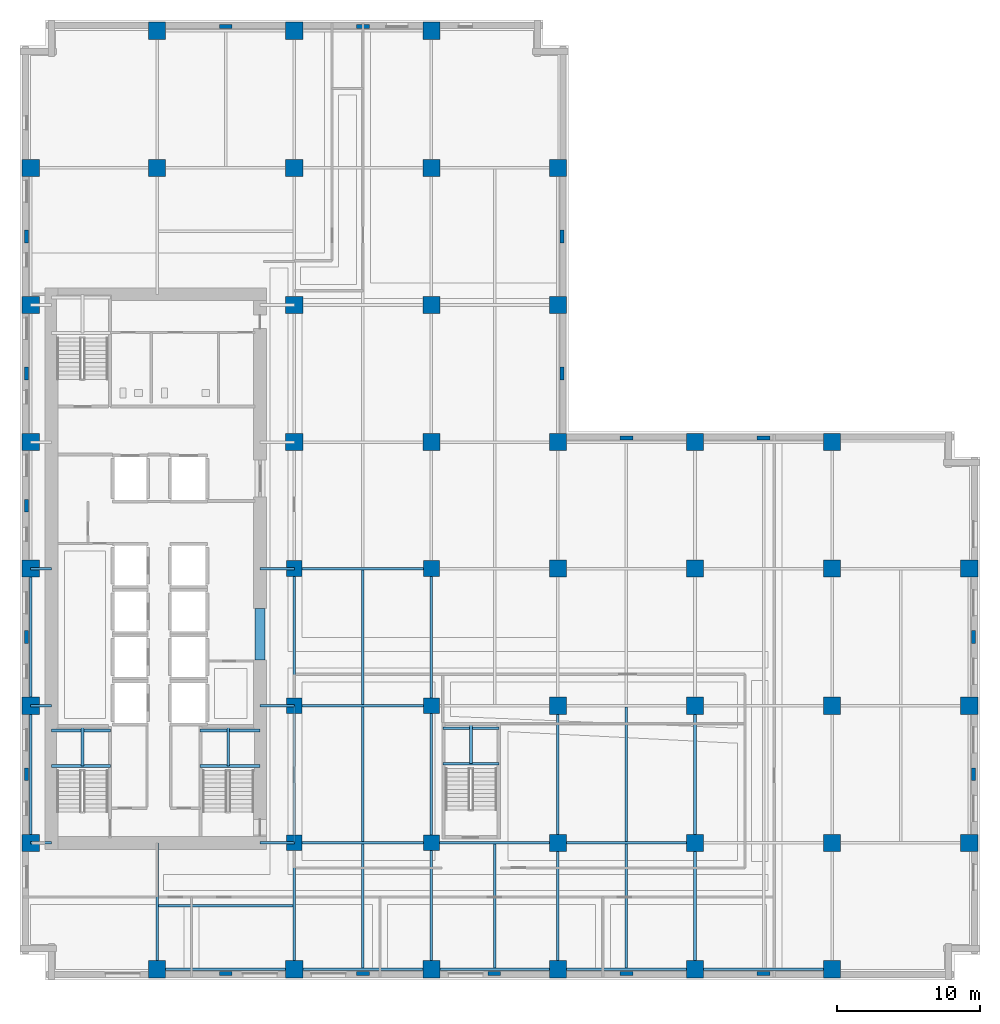
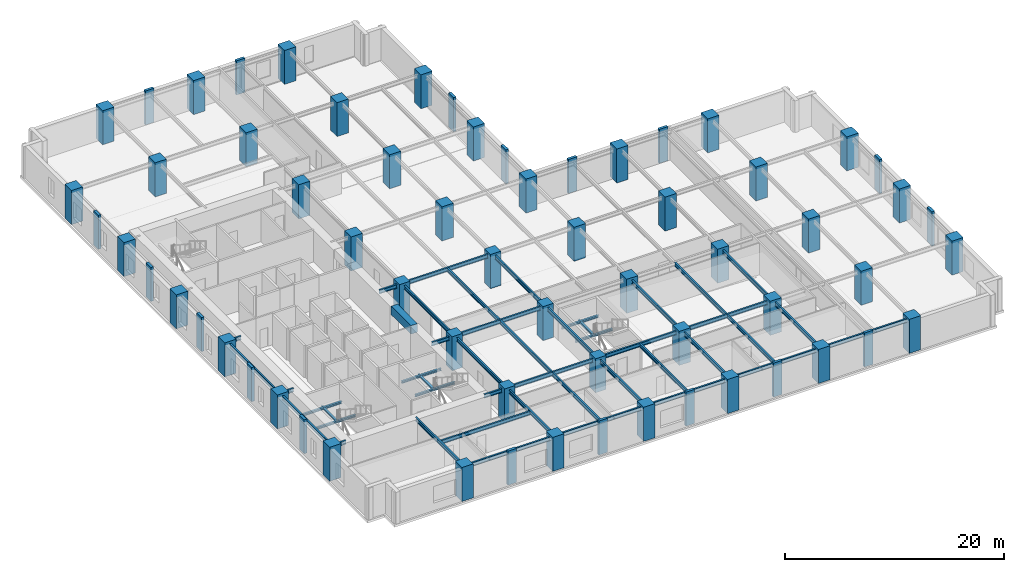
# One storey, part 1 of 13: 63 columns, 46 beams.
"""IFC4 building model written with IfcOpenShell, lengths in metres."""

from ifc_helpers import new_model, si_unit, direction, frame, origin, origin_2d, place, context, subcontext, project, spatial, rectangle, i_section, extrude, material, material_profile, profile_set, type_object, element, save


model = new_model("IFC4")

# Units and contexts
model_context = context("Model", 3, precision=1e-05, world=origin(), true_north=direction((0.0, 1.0)))
body_context = subcontext(model_context, "Body", "Model", "MODEL_VIEW")
ifc_project = project(units=[si_unit("LENGTHUNIT", "METRE"), si_unit("AREAUNIT", "SQUARE_METRE"), si_unit("VOLUMEUNIT", "CUBIC_METRE"), si_unit("PLANEANGLEUNIT", "RADIAN"), si_unit("MASSUNIT", "GRAM", prefix="KILO")], contexts=[model_context])

# Site, building, storey
site_placement = place(None, origin())
site = spatial("IfcSite", under=ifc_project, at=site_placement, CompositionType="ELEMENT")
building_placement = place(site_placement, origin())
building = spatial("IfcBuilding", under=site, at=building_placement, Name="Norrvale University Quadrangle", CompositionType="ELEMENT")
storey_placement = place(building_placement, frame((0.0, 0.0, 35.60009765625)))
storey = spatial("IfcBuildingStorey", under=building, at=storey_placement, Name="L08", CompositionType="ELEMENT", Elevation=35.60009765625)

# Columns
ifc_material_1 = material(Name="Buff Brick Concrete C60/75", Category="concrete")
ifc_material_profile_1 = material_profile(ifc_material_1, rectangle(XDim=0.89990234375, YDim=0.280029296875, at=origin_2d()), Name="Buff Brick Concrete C60/75")
ifc_profile_set_1 = profile_set([ifc_material_profile_1], Name="Buff Brick Concrete C60/75")
column_type_1 = type_object("IfcColumnType", Name="Column Buff Pier 900x280", PredefinedType="PILASTER", material=ifc_profile_set_1)
for number, where, z_axis, x_axis, name in (
    (1, (0.449951171875, 14.39990234375, 0.0), (0.0, 0.0, 1.0), (0.0, 1.0, 0.0), "Exterior Brick Facade Pilaster L08-01"),
    (2, (0.449951171875, 24.0, 0.0), (0.0, 0.0, 1.0), (0.0, 1.0, 0.0), "Exterior Brick Facade Pilaster L08-02"),
    (3, (0.449951171875, 33.199951171875, 0.0), (0.0, 0.0, 1.0), (0.0, 1.0, 0.0), "Exterior Brick Facade Pilaster L08-03"),
    (4, (0.449951171875, 42.449951171875, 0.0), (0.0, 0.0, 1.0), (0.0, 1.0, 0.0), "Exterior Brick Facade Pilaster L08-04"),
    (5, (0.449951171875, 52.050048828125, 0.0), (0.0, 0.0, 1.0), (0.0, 1.0, 0.0), "Exterior Brick Facade Pilaster L08-05"),
    (6, (14.39990234375, 0.449951171875, 0.0), (0.0, 0.0, 1.0), (1.0, 0.0, 0.0), "Exterior Brick Facade Pilaster L08-06"),
    (7, (24.0, 0.449951171875, 0.0), (0.0, 0.0, 1.0), (1.0, 0.0, 0.0), "Exterior Brick Facade Pilaster L08-07"),
    (8, (33.199951171875, 0.449951171875, 0.0), (0.0, 0.0, 1.0), (1.0, 0.0, 0.0), "Exterior Brick Facade Pilaster L08-08"),
    (9, (42.449951171875, 0.449951171875, 0.0), (0.0, 0.0, 1.0), (1.0, 0.0, 0.0), "Exterior Brick Facade Pilaster L08-09"),
    (10, (52.050048828125, 0.449951171875, 0.0), (0.0, 0.0, 1.0), (1.0, 0.0, 0.0), "Exterior Brick Facade Pilaster L08-10"),
    (11, (66.75, 14.39990234375, 0.0), (0.0, 0.0, 1.0), (0.0, 1.0, 0.0), "Exterior Brick Facade Pilaster L08-11"),
    (12, (66.75, 24.0, 0.0), (0.0, 0.0, 1.0), (0.0, 1.0, 0.0), "Exterior Brick Facade Pilaster L08-12"),
    (13, (14.39990234375, 66.75, 0.0), (0.0, 0.0, 1.0), (1.0, 0.0, 0.0), "Exterior Brick Facade Pilaster L08-13"),
    (14, (24.0, 66.75, 0.0), (0.0, 0.0, 1.0), (1.0, 0.0, 0.0), "Exterior Brick Facade Pilaster L08-14"),
    (15, (37.949951171875, 42.449951171875, 0.0), (0.0, 0.0, 1.0), (0.0, 1.0, 0.0), "Exterior Brick Facade Pilaster L08-15"),
    (16, (37.949951171875, 52.050048828125, 0.0), (0.0, 0.0, 1.0), (0.0, 1.0, 0.0), "Exterior Brick Facade Pilaster L08-16"),
    (17, (42.449951171875, 37.949951171875, 0.0), (0.0, 0.0, 1.0), (1.0, 0.0, 0.0), "Exterior Brick Facade Pilaster L08-17"),
    (18, (52.050048828125, 37.949951171875, 0.0), (0.0, 0.0, 1.0), (1.0, 0.0, 0.0), "Exterior Brick Facade Pilaster L08-18"),
):
    element("IfcColumn", number, at=place(storey_placement, frame(where, z_axis=z_axis, x_axis=x_axis)), inside=storey, type_object=column_type_1, Name=name, PredefinedType="PILASTER", context=body_context, shape_type="SweptSolid", body=[
        extrude(rectangle(XDim=0.89990234375, YDim=0.280029296875, at=origin_2d()), origin(), (0.0, 0.0, 1.0), 3.7998046875),
    ])
ifc_material_2 = material(Name="Concrete C80/95", Category="concrete")
ifc_material_profile_2 = material_profile(ifc_material_2, rectangle(XDim=1.10009765625, YDim=1.10009765625, at=origin_2d()), Name="Concrete C80/95")
ifc_profile_set_2 = profile_set([ifc_material_profile_2], Name="Concrete C80/95")
column_type_2 = type_object("IfcColumnType", Name="Column Tower Z1 1100x1100", PredefinedType="COLUMN", material=ifc_profile_set_2)
for number, where, z_axis, x_axis, name in (
    (19, (19.199951171875, 9.60009765625, 0.0), (0.0, 0.0, 1.0), (1.0, 0.0, 0.0), "Tower Column L08-T11"),
    (20, (19.199951171875, 19.199951171875, 0.0), (0.0, 0.0, 1.0), (1.0, 0.0, 0.0), "Tower Column L08-T12"),
    (21, (19.199951171875, 28.800048828125, 0.0), (0.0, 0.0, 1.0), (1.0, 0.0, 0.0), "Tower Column L08-T13"),
    (22, (28.800048828125, 9.60009765625, 0.0), (0.0, 0.0, 1.0), (1.0, 0.0, 0.0), "Tower Column L08-T19"),
    (23, (28.800048828125, 19.199951171875, 0.0), (0.0, 0.0, 1.0), (1.0, 0.0, 0.0), "Tower Column L08-T20"),
    (24, (28.800048828125, 28.800048828125, 0.0), (0.0, 0.0, 1.0), (1.0, 0.0, 0.0), "Tower Column L08-T21"),
):
    element("IfcColumn", number, at=place(storey_placement, frame(where, z_axis=z_axis, x_axis=x_axis)), inside=storey, type_object=column_type_2, Name=name, PredefinedType="COLUMN", context=body_context, shape_type="SweptSolid", body=[
        extrude(rectangle(XDim=1.10009765625, YDim=1.10009765625, at=origin_2d()), origin(), (0.0, 0.0, 1.0), 3.7998046875),
    ])
ifc_material_profile_3 = material_profile(ifc_material_2, rectangle(XDim=1.199951171875, YDim=1.199951171875, at=origin_2d()), Name="Concrete C80/95")
ifc_profile_set_3 = profile_set([ifc_material_profile_3], Name="Concrete C80/95")
column_type_3 = type_object("IfcColumnType", Name="Column Tower Z1 1200x1200", PredefinedType="COLUMN", material=ifc_profile_set_3)
for number, where, z_axis, x_axis, name in (
    (25, (0.75, 9.60009765625, 0.0), (0.0, 0.0, 1.0), (1.0, 0.0, 0.0), "Tower Column L08-T01"),
    (26, (0.75, 19.199951171875, 0.0), (0.0, 0.0, 1.0), (1.0, 0.0, 0.0), "Tower Column L08-T02"),
    (27, (0.75, 28.800048828125, 0.0), (0.0, 0.0, 1.0), (1.0, 0.0, 0.0), "Tower Column L08-T03"),
    (28, (0.75, 37.64990234375, 0.0), (0.0, 0.0, 1.0), (1.0, 0.0, 0.0), "Tower Column L08-T04"),
    (29, (0.75, 47.25, 0.0), (0.0, 0.0, 1.0), (1.0, 0.0, 0.0), "Tower Column L08-T05"),
    (30, (0.75, 56.85009765625, 0.0), (0.0, 0.0, 1.0), (1.0, 0.0, 0.0), "Tower Column L08-T06"),
    (31, (9.60009765625, 0.75, 0.0), (0.0, 0.0, 1.0), (1.0, 0.0, 0.0), "Tower Column L08-T07"),
    (32, (9.60009765625, 56.85009765625, 0.0), (0.0, 0.0, 1.0), (1.0, 0.0, 0.0), "Tower Column L08-T08"),
    (33, (9.60009765625, 66.449951171875, 0.0), (0.0, 0.0, 1.0), (1.0, 0.0, 0.0), "Tower Column L08-T09"),
    (34, (19.199951171875, 0.75, 0.0), (0.0, 0.0, 1.0), (1.0, 0.0, 0.0), "Tower Column L08-T10"),
    (35, (19.199951171875, 37.64990234375, 0.0), (0.0, 0.0, 1.0), (1.0, 0.0, 0.0), "Tower Column L08-T14"),
    (36, (19.199951171875, 47.25, 0.0), (0.0, 0.0, 1.0), (1.0, 0.0, 0.0), "Tower Column L08-T15"),
    (37, (19.199951171875, 56.85009765625, 0.0), (0.0, 0.0, 1.0), (1.0, 0.0, 0.0), "Tower Column L08-T16"),
    (38, (19.199951171875, 66.449951171875, 0.0), (0.0, 0.0, 1.0), (1.0, 0.0, 0.0), "Tower Column L08-T17"),
    (39, (28.800048828125, 0.75, 0.0), (0.0, 0.0, 1.0), (1.0, 0.0, 0.0), "Tower Column L08-T18"),
    (40, (28.800048828125, 37.64990234375, 0.0), (0.0, 0.0, 1.0), (1.0, 0.0, 0.0), "Tower Column L08-T22"),
    (41, (28.800048828125, 47.25, 0.0), (0.0, 0.0, 1.0), (1.0, 0.0, 0.0), "Tower Column L08-T23"),
    (42, (28.800048828125, 56.85009765625, 0.0), (0.0, 0.0, 1.0), (1.0, 0.0, 0.0), "Tower Column L08-T24"),
    (43, (28.800048828125, 66.449951171875, 0.0), (0.0, 0.0, 1.0), (1.0, 0.0, 0.0), "Tower Column L08-T25"),
    (44, (37.64990234375, 0.75, 0.0), (0.0, 0.0, 1.0), (1.0, 0.0, 0.0), "Tower Column L08-T26"),
    (45, (37.64990234375, 9.60009765625, 0.0), (0.0, 0.0, 1.0), (1.0, 0.0, 0.0), "Tower Column L08-T27"),
    (46, (37.64990234375, 19.199951171875, 0.0), (0.0, 0.0, 1.0), (1.0, 0.0, 0.0), "Tower Column L08-T28"),
    (47, (37.64990234375, 28.800048828125, 0.0), (0.0, 0.0, 1.0), (1.0, 0.0, 0.0), "Tower Column L08-T29"),
    (48, (37.64990234375, 37.64990234375, 0.0), (0.0, 0.0, 1.0), (1.0, 0.0, 0.0), "Tower Column L08-T30"),
    (49, (37.64990234375, 47.25, 0.0), (0.0, 0.0, 1.0), (1.0, 0.0, 0.0), "Tower Column L08-T31"),
    (50, (37.64990234375, 56.85009765625, 0.0), (0.0, 0.0, 1.0), (1.0, 0.0, 0.0), "Tower Column L08-T32"),
    (51, (47.25, 0.75, 0.0), (0.0, 0.0, 1.0), (1.0, 0.0, 0.0), "Tower Column L08-T33"),
    (52, (47.25, 9.60009765625, 0.0), (0.0, 0.0, 1.0), (1.0, 0.0, 0.0), "Tower Column L08-T34"),
    (53, (47.25, 19.199951171875, 0.0), (0.0, 0.0, 1.0), (1.0, 0.0, 0.0), "Tower Column L08-T35"),
    (54, (47.25, 28.800048828125, 0.0), (0.0, 0.0, 1.0), (1.0, 0.0, 0.0), "Tower Column L08-T36"),
    (55, (47.25, 37.64990234375, 0.0), (0.0, 0.0, 1.0), (1.0, 0.0, 0.0), "Tower Column L08-T37"),
    (56, (56.85009765625, 0.75, 0.0), (0.0, 0.0, 1.0), (1.0, 0.0, 0.0), "Tower Column L08-T38"),
    (57, (56.85009765625, 9.60009765625, 0.0), (0.0, 0.0, 1.0), (1.0, 0.0, 0.0), "Tower Column L08-T39"),
    (58, (56.85009765625, 19.199951171875, 0.0), (0.0, 0.0, 1.0), (1.0, 0.0, 0.0), "Tower Column L08-T40"),
    (59, (56.85009765625, 28.800048828125, 0.0), (0.0, 0.0, 1.0), (1.0, 0.0, 0.0), "Tower Column L08-T41"),
    (60, (56.85009765625, 37.64990234375, 0.0), (0.0, 0.0, 1.0), (1.0, 0.0, 0.0), "Tower Column L08-T42"),
    (61, (66.449951171875, 9.60009765625, 0.0), (0.0, 0.0, 1.0), (1.0, 0.0, 0.0), "Tower Column L08-T43"),
    (62, (66.449951171875, 19.199951171875, 0.0), (0.0, 0.0, 1.0), (1.0, 0.0, 0.0), "Tower Column L08-T44"),
    (63, (66.449951171875, 28.800048828125, 0.0), (0.0, 0.0, 1.0), (1.0, 0.0, 0.0), "Tower Column L08-T45"),
):
    element("IfcColumn", number, at=place(storey_placement, frame(where, z_axis=z_axis, x_axis=x_axis)), inside=storey, type_object=column_type_3, Name=name, PredefinedType="COLUMN", context=body_context, shape_type="SweptSolid", body=[
        extrude(rectangle(XDim=1.199951171875, YDim=1.199951171875, at=origin_2d()), origin(), (0.0, 0.0, 1.0), 3.7998046875),
    ])

# Beams
ifc_material_3 = material(Name="Steel 350W", Category="steel")
ifc_material_profile_4 = material_profile(ifc_material_3, i_section(OverallWidth=0.180908203125, OverallDepth=0.4169921875, WebThickness=0.010986328125, FlangeThickness=0.018310546875, FilletRadius=0.011962890625, at=origin_2d()), Name="Steel 350W")
ifc_profile_set_4 = profile_set([ifc_material_profile_4], Name="Steel 350W")
beam_type_1 = type_object("IfcBeamType", Name="Beam Atrium W410x85", PredefinedType="BEAM", material=ifc_profile_set_4)
beam_1_placement = place(storey_placement, frame((9.60009765625, 0.75, 3.331298828125), z_axis=(1.0, 0.0, 0.0), x_axis=(0.0, 1.0, 0.0)))
element("IfcBeam", 64, at=beam_1_placement, inside=storey, type_object=beam_type_1, Name="Beam Atrium W410x85 BM-L08-GX001", PredefinedType="BEAM", context=body_context, shape_type="SweptSolid", body=[
    extrude(i_section(OverallWidth=0.180908203125, OverallDepth=0.4169921875, WebThickness=0.010986328125, FlangeThickness=0.018310546875, FilletRadius=0.011962890625, at=origin_2d()), origin(), (0.0, 0.0, 1.0), 9.599853515625),
])
beam_2_placement = place(storey_placement, frame((19.199951171875, 0.75, 3.331298828125), z_axis=(1.0, 0.0, 0.0), x_axis=(0.0, 1.0, 0.0)))
element("IfcBeam", 65, at=beam_2_placement, inside=storey, type_object=beam_type_1, Name="Beam Atrium W410x85 BM-L08-GX002", PredefinedType="BEAM", context=body_context, shape_type="SweptSolid", body=[
    extrude(i_section(OverallWidth=0.180908203125, OverallDepth=0.4169921875, WebThickness=0.010986328125, FlangeThickness=0.018310546875, FilletRadius=0.011962890625, at=origin_2d()), origin(), (0.0, 0.0, 1.0), 9.60009765625),
])
beam_3_placement = place(storey_placement, frame((28.800048828125, 0.75, 3.331298828125), z_axis=(1.0, 0.0, 0.0), x_axis=(0.0, 1.0, 0.0)))
element("IfcBeam", 66, at=beam_3_placement, inside=storey, type_object=beam_type_1, Name="Beam Atrium W410x85 BM-L08-GX003", PredefinedType="BEAM", context=body_context, shape_type="SweptSolid", body=[
    extrude(i_section(OverallWidth=0.180908203125, OverallDepth=0.4169921875, WebThickness=0.010986328125, FlangeThickness=0.018310546875, FilletRadius=0.011962890625, at=origin_2d()), origin(), (0.0, 0.0, 1.0), 8.849853515625),
])
for number, where, z_axis, x_axis, name in (
    (67, (37.64990234375, 0.75, 3.331298828125), (1.0, 0.0, 0.0), (0.0, 1.0, 0.0), "Beam Atrium W410x85 BM-L08-GX004"),
    (68, (47.25, 0.75, 3.331298828125), (1.0, 0.0, 0.0), (0.0, 1.0, 0.0), "Beam Atrium W410x85 BM-L08-GX005"),
    (69, (19.199951171875, 9.60009765625, 3.331298828125), (1.0, 0.0, 0.0), (0.0, 1.0, 0.0), "Beam Atrium W410x85 BM-L08-GX006"),
):
    element("IfcBeam", number, at=place(storey_placement, frame(where, z_axis=z_axis, x_axis=x_axis)), inside=storey, type_object=beam_type_1, Name=name, PredefinedType="BEAM", context=body_context, shape_type="SweptSolid", body=[
        extrude(i_section(OverallWidth=0.180908203125, OverallDepth=0.4169921875, WebThickness=0.010986328125, FlangeThickness=0.018310546875, FilletRadius=0.011962890625, at=origin_2d()), origin(), (0.0, 0.0, 1.0), 9.60009765625),
    ])
beam_4_placement = place(storey_placement, frame((28.800048828125, 9.60009765625, 3.331298828125), z_axis=(1.0, 0.0, 0.0), x_axis=(0.0, 1.0, 0.0)))
element("IfcBeam", 70, at=beam_4_placement, inside=storey, type_object=beam_type_1, Name="Beam Atrium W410x85 BM-L08-GX007", PredefinedType="BEAM", context=body_context, shape_type="SweptSolid", body=[
    extrude(i_section(OverallWidth=0.180908203125, OverallDepth=0.4169921875, WebThickness=0.010986328125, FlangeThickness=0.018310546875, FilletRadius=0.011962890625, at=origin_2d()), origin(), (0.0, 0.0, 1.0), 8.849853515625),
])
for number, where, z_axis, x_axis, name in (
    (71, (37.64990234375, 9.60009765625, 3.331298828125), (1.0, 0.0, 0.0), (0.0, 1.0, 0.0), "Beam Atrium W410x85 BM-L08-GX008"),
    (72, (19.199951171875, 19.199951171875, 3.331298828125), (1.0, 0.0, 0.0), (0.0, 1.0, 0.0), "Beam Atrium W410x85 BM-L08-GX011"),
    (73, (19.199951171875, 28.800048828125, 3.331298828125), (1.0, 0.0, 0.0), (0.0, 1.0, 0.0), "Beam Atrium W410x85 BM-L08-GX016"),
):
    element("IfcBeam", number, at=place(storey_placement, frame(where, z_axis=z_axis, x_axis=x_axis)), inside=storey, type_object=beam_type_1, Name=name, PredefinedType="BEAM", context=body_context, shape_type="SweptSolid", body=[
        extrude(i_section(OverallWidth=0.180908203125, OverallDepth=0.4169921875, WebThickness=0.010986328125, FlangeThickness=0.018310546875, FilletRadius=0.011962890625, at=origin_2d()), origin(), (0.0, 0.0, 1.0), 9.60009765625),
    ])
beam_5_placement = place(storey_placement, frame((0.75, 9.60009765625, 3.331298828125), z_axis=(0.0, 1.0, 0.0), x_axis=(-1.0, 0.0, 0.0)))
element("IfcBeam", 74, at=beam_5_placement, inside=storey, type_object=beam_type_1, Name="Beam Atrium W410x85 BM-L08-GY033", PredefinedType="BEAM", context=body_context, shape_type="SweptSolid", body=[
    extrude(i_section(OverallWidth=0.180908203125, OverallDepth=0.4169921875, WebThickness=0.010986328125, FlangeThickness=0.018310546875, FilletRadius=0.011962890625, at=origin_2d()), origin(), (0.0, 0.0, 1.0), 9.599853515625),
])
beam_6_placement = place(storey_placement, frame((0.75, 19.199951171875, 3.331298828125), z_axis=(0.0, 1.0, 0.0), x_axis=(-1.0, 0.0, 0.0)))
element("IfcBeam", 75, at=beam_6_placement, inside=storey, type_object=beam_type_1, Name="Beam Atrium W410x85 BM-L08-GY034", PredefinedType="BEAM", context=body_context, shape_type="SweptSolid", body=[
    extrude(i_section(OverallWidth=0.180908203125, OverallDepth=0.4169921875, WebThickness=0.010986328125, FlangeThickness=0.018310546875, FilletRadius=0.011962890625, at=origin_2d()), origin(), (0.0, 0.0, 1.0), 9.60009765625),
])
beam_7_placement = place(storey_placement, frame((19.199951171875, 0.75, 3.331298828125), z_axis=(0.0, 1.0, 0.0), x_axis=(-1.0, 0.0, 0.0)))
element("IfcBeam", 76, at=beam_7_placement, inside=storey, type_object=beam_type_1, Name="Beam Atrium W410x85 BM-L08-GY039", PredefinedType="BEAM", context=body_context, shape_type="SweptSolid", body=[
    extrude(i_section(OverallWidth=0.180908203125, OverallDepth=0.4169921875, WebThickness=0.010986328125, FlangeThickness=0.018310546875, FilletRadius=0.011962890625, at=origin_2d()), origin(), (0.0, 0.0, 1.0), 8.85009765625),
])
beam_8_placement = place(storey_placement, frame((19.199951171875, 9.60009765625, 3.331298828125), z_axis=(0.0, 1.0, 0.0), x_axis=(-1.0, 0.0, 0.0)))
element("IfcBeam", 77, at=beam_8_placement, inside=storey, type_object=beam_type_1, Name="Beam Atrium W410x85 BM-L08-GY040", PredefinedType="BEAM", context=body_context, shape_type="SweptSolid", body=[
    extrude(i_section(OverallWidth=0.180908203125, OverallDepth=0.4169921875, WebThickness=0.010986328125, FlangeThickness=0.018310546875, FilletRadius=0.011962890625, at=origin_2d()), origin(), (0.0, 0.0, 1.0), 9.599853515625),
])
beam_9_placement = place(storey_placement, frame((19.199951171875, 19.199951171875, 3.331298828125), z_axis=(0.0, 1.0, 0.0), x_axis=(-1.0, 0.0, 0.0)))
element("IfcBeam", 78, at=beam_9_placement, inside=storey, type_object=beam_type_1, Name="Beam Atrium W410x85 BM-L08-GY041", PredefinedType="BEAM", context=body_context, shape_type="SweptSolid", body=[
    extrude(i_section(OverallWidth=0.180908203125, OverallDepth=0.4169921875, WebThickness=0.010986328125, FlangeThickness=0.018310546875, FilletRadius=0.011962890625, at=origin_2d()), origin(), (0.0, 0.0, 1.0), 9.60009765625),
])
beam_10_placement = place(storey_placement, frame((28.800048828125, 0.75, 3.331298828125), z_axis=(0.0, 1.0, 0.0), x_axis=(-1.0, 0.0, 0.0)))
element("IfcBeam", 79, at=beam_10_placement, inside=storey, type_object=beam_type_1, Name="Beam Atrium W410x85 BM-L08-GY046", PredefinedType="BEAM", context=body_context, shape_type="SweptSolid", body=[
    extrude(i_section(OverallWidth=0.180908203125, OverallDepth=0.4169921875, WebThickness=0.010986328125, FlangeThickness=0.018310546875, FilletRadius=0.011962890625, at=origin_2d()), origin(), (0.0, 0.0, 1.0), 8.85009765625),
])
beam_11_placement = place(storey_placement, frame((28.800048828125, 9.60009765625, 3.331298828125), z_axis=(0.0, 1.0, 0.0), x_axis=(-1.0, 0.0, 0.0)))
element("IfcBeam", 80, at=beam_11_placement, inside=storey, type_object=beam_type_1, Name="Beam Atrium W410x85 BM-L08-GY047", PredefinedType="BEAM", context=body_context, shape_type="SweptSolid", body=[
    extrude(i_section(OverallWidth=0.180908203125, OverallDepth=0.4169921875, WebThickness=0.010986328125, FlangeThickness=0.018310546875, FilletRadius=0.011962890625, at=origin_2d()), origin(), (0.0, 0.0, 1.0), 9.599853515625),
])
beam_12_placement = place(storey_placement, frame((28.800048828125, 19.199951171875, 3.331298828125), z_axis=(0.0, 1.0, 0.0), x_axis=(-1.0, 0.0, 0.0)))
element("IfcBeam", 81, at=beam_12_placement, inside=storey, type_object=beam_type_1, Name="Beam Atrium W410x85 BM-L08-GY048", PredefinedType="BEAM", context=body_context, shape_type="SweptSolid", body=[
    extrude(i_section(OverallWidth=0.180908203125, OverallDepth=0.4169921875, WebThickness=0.010986328125, FlangeThickness=0.018310546875, FilletRadius=0.011962890625, at=origin_2d()), origin(), (0.0, 0.0, 1.0), 9.60009765625),
])
beam_13_placement = place(storey_placement, frame((37.64990234375, 0.75, 3.331298828125), z_axis=(0.0, 1.0, 0.0), x_axis=(-1.0, 0.0, 0.0)))
element("IfcBeam", 82, at=beam_13_placement, inside=storey, type_object=beam_type_1, Name="Beam Atrium W410x85 BM-L08-GY053", PredefinedType="BEAM", context=body_context, shape_type="SweptSolid", body=[
    extrude(i_section(OverallWidth=0.180908203125, OverallDepth=0.4169921875, WebThickness=0.010986328125, FlangeThickness=0.018310546875, FilletRadius=0.011962890625, at=origin_2d()), origin(), (0.0, 0.0, 1.0), 8.85009765625),
])
beam_14_placement = place(storey_placement, frame((37.64990234375, 9.60009765625, 3.331298828125), z_axis=(0.0, 1.0, 0.0), x_axis=(-1.0, 0.0, 0.0)))
element("IfcBeam", 83, at=beam_14_placement, inside=storey, type_object=beam_type_1, Name="Beam Atrium W410x85 BM-L08-GY054", PredefinedType="BEAM", context=body_context, shape_type="SweptSolid", body=[
    extrude(i_section(OverallWidth=0.180908203125, OverallDepth=0.4169921875, WebThickness=0.010986328125, FlangeThickness=0.018310546875, FilletRadius=0.011962890625, at=origin_2d()), origin(), (0.0, 0.0, 1.0), 9.599853515625),
])
beam_15_placement = place(storey_placement, frame((47.25, 0.75, 3.331298828125), z_axis=(0.0, 1.0, 0.0), x_axis=(-1.0, 0.0, 0.0)))
element("IfcBeam", 84, at=beam_15_placement, inside=storey, type_object=beam_type_1, Name="Beam Atrium W410x85 BM-L08-GY059", PredefinedType="BEAM", context=body_context, shape_type="SweptSolid", body=[
    extrude(i_section(OverallWidth=0.180908203125, OverallDepth=0.4169921875, WebThickness=0.010986328125, FlangeThickness=0.018310546875, FilletRadius=0.011962890625, at=origin_2d()), origin(), (0.0, 0.0, 1.0), 8.85009765625),
])
beam_16_placement = place(storey_placement, frame((47.25, 9.60009765625, 3.331298828125), z_axis=(0.0, 1.0, 0.0), x_axis=(-1.0, 0.0, 0.0)))
element("IfcBeam", 85, at=beam_16_placement, inside=storey, type_object=beam_type_1, Name="Beam Atrium W410x85 BM-L08-GY060", PredefinedType="BEAM", context=body_context, shape_type="SweptSolid", body=[
    extrude(i_section(OverallWidth=0.180908203125, OverallDepth=0.4169921875, WebThickness=0.010986328125, FlangeThickness=0.018310546875, FilletRadius=0.011962890625, at=origin_2d()), origin(), (0.0, 0.0, 1.0), 9.599853515625),
])
beam_17_placement = place(storey_placement, frame((0.75, 9.60009765625, 3.331298828125), z_axis=(1.0, 0.0, 0.0), x_axis=(0.0, 1.0, 0.0)))
element("IfcBeam", 86, at=beam_17_placement, inside=storey, type_object=beam_type_1, Name="Beam Atrium W410x85 BM-L08-GCW069", PredefinedType="BEAM", context=body_context, shape_type="SweptSolid", body=[
    extrude(i_section(OverallWidth=0.180908203125, OverallDepth=0.4169921875, WebThickness=0.010986328125, FlangeThickness=0.018310546875, FilletRadius=0.011962890625, at=origin_2d()), origin(), (0.0, 0.0, 1.0), 1.449951171875),
])
beam_18_placement = place(storey_placement, frame((16.800048828125, 9.60009765625, 3.331298828125), z_axis=(1.0, 0.0, 0.0), x_axis=(0.0, 1.0, 0.0)))
element("IfcBeam", 87, at=beam_18_placement, inside=storey, type_object=beam_type_1, Name="Beam Atrium W410x85 BM-L08-GCE070", PredefinedType="BEAM", context=body_context, shape_type="SweptSolid", body=[
    extrude(i_section(OverallWidth=0.180908203125, OverallDepth=0.4169921875, WebThickness=0.010986328125, FlangeThickness=0.018310546875, FilletRadius=0.011962890625, at=origin_2d()), origin(), (0.0, 0.0, 1.0), 2.39990234375),
])
beam_19_placement = place(storey_placement, frame((0.75, 19.199951171875, 3.331298828125), z_axis=(1.0, 0.0, 0.0), x_axis=(0.0, 1.0, 0.0)))
element("IfcBeam", 88, at=beam_19_placement, inside=storey, type_object=beam_type_1, Name="Beam Atrium W410x85 BM-L08-GCW071", PredefinedType="BEAM", context=body_context, shape_type="SweptSolid", body=[
    extrude(i_section(OverallWidth=0.180908203125, OverallDepth=0.4169921875, WebThickness=0.010986328125, FlangeThickness=0.018310546875, FilletRadius=0.011962890625, at=origin_2d()), origin(), (0.0, 0.0, 1.0), 1.449951171875),
])
beam_20_placement = place(storey_placement, frame((16.800048828125, 19.199951171875, 3.331298828125), z_axis=(1.0, 0.0, 0.0), x_axis=(0.0, 1.0, 0.0)))
element("IfcBeam", 89, at=beam_20_placement, inside=storey, type_object=beam_type_1, Name="Beam Atrium W410x85 BM-L08-GCE072", PredefinedType="BEAM", context=body_context, shape_type="SweptSolid", body=[
    extrude(i_section(OverallWidth=0.180908203125, OverallDepth=0.4169921875, WebThickness=0.010986328125, FlangeThickness=0.018310546875, FilletRadius=0.011962890625, at=origin_2d()), origin(), (0.0, 0.0, 1.0), 2.39990234375),
])
beam_21_placement = place(storey_placement, frame((0.75, 28.800048828125, 3.331298828125), z_axis=(1.0, 0.0, 0.0), x_axis=(0.0, 1.0, 0.0)))
element("IfcBeam", 90, at=beam_21_placement, inside=storey, type_object=beam_type_1, Name="Beam Atrium W410x85 BM-L08-GCW073", PredefinedType="BEAM", context=body_context, shape_type="SweptSolid", body=[
    extrude(i_section(OverallWidth=0.180908203125, OverallDepth=0.4169921875, WebThickness=0.010986328125, FlangeThickness=0.018310546875, FilletRadius=0.011962890625, at=origin_2d()), origin(), (0.0, 0.0, 1.0), 1.449951171875),
])
beam_22_placement = place(storey_placement, frame((16.800048828125, 28.800048828125, 3.331298828125), z_axis=(1.0, 0.0, 0.0), x_axis=(0.0, 1.0, 0.0)))
element("IfcBeam", 91, at=beam_22_placement, inside=storey, type_object=beam_type_1, Name="Beam Atrium W410x85 BM-L08-GCE074", PredefinedType="BEAM", context=body_context, shape_type="SweptSolid", body=[
    extrude(i_section(OverallWidth=0.180908203125, OverallDepth=0.4169921875, WebThickness=0.010986328125, FlangeThickness=0.018310546875, FilletRadius=0.011962890625, at=origin_2d()), origin(), (0.0, 0.0, 1.0), 2.39990234375),
])
beam_23_placement = place(storey_placement, frame((9.60009765625, 0.75, 3.331298828125), z_axis=(0.0, 1.0, 0.0), x_axis=(-1.0, 0.0, 0.0)))
element("IfcBeam", 92, at=beam_23_placement, inside=storey, type_object=beam_type_1, Name="Beam Atrium W410x85 BM-L08-GCS102", PredefinedType="BEAM", context=body_context, shape_type="SweptSolid", body=[
    extrude(i_section(OverallWidth=0.180908203125, OverallDepth=0.4169921875, WebThickness=0.010986328125, FlangeThickness=0.018310546875, FilletRadius=0.011962890625, at=origin_2d()), origin(), (0.0, 0.0, 1.0), 8.85009765625),
])
ifc_material_profile_5 = material_profile(ifc_material_2, rectangle(XDim=0.699951171875, YDim=0.949951171875, at=origin_2d()), Name="Concrete C80/95")
ifc_profile_set_5 = profile_set([ifc_material_profile_5], Name="Concrete C80/95")
beam_type_2 = type_object("IfcBeamType", Name="Beam Core Link 700x950", PredefinedType="LINTEL", material=ifc_profile_set_5)
beam_24_placement = place(storey_placement, frame((16.800048828125, 22.39990234375, 3.06494140625), z_axis=(0.0, 1.0, 0.0), x_axis=(-1.0, 0.0, 0.0)))
element("IfcBeam", 93, at=beam_24_placement, inside=storey, type_object=beam_type_2, Name="Core Coupling Lintel Beam L08-1", PredefinedType="LINTEL", context=body_context, shape_type="SweptSolid", body=[
    extrude(rectangle(XDim=0.699951171875, YDim=0.949951171875, at=origin_2d()), origin(), (0.0, 0.0, 1.0), 3.60009765625),
])
ifc_material_profile_6 = material_profile(ifc_material_3, i_section(OverallWidth=0.177978515625, OverallDepth=0.406982421875, WebThickness=0.0078125, FlangeThickness=0.0126953125, FilletRadius=0.011962890625, at=origin_2d()), Name="Steel 350W")
ifc_profile_set_6 = profile_set([ifc_material_profile_6], Name="Steel 350W")
beam_type_3 = type_object("IfcBeamType", Name="Beam Roof Purlin W410x60", PredefinedType="USERDEFINED", material=ifc_profile_set_6)
beam_25_placement = place(storey_placement, frame((24.0, 0.840576171875, 3.33642578125), z_axis=(0.0, 1.0, 0.0), x_axis=(-1.0, 0.0, 0.0)))
element("IfcBeam", 94, at=beam_25_placement, inside=storey, type_object=beam_type_3, Name="Beam Roof Purlin W410x60 BM-L08-J080", ObjectType="PURLIN", PredefinedType="USERDEFINED", context=body_context, shape_type="SweptSolid", body=[
    extrude(i_section(OverallWidth=0.177978515625, OverallDepth=0.406982421875, WebThickness=0.0078125, FlangeThickness=0.0126953125, FilletRadius=0.011962890625, at=origin_2d()), origin(), (0.0, 0.0, 1.0), 8.6689453125),
])
beam_26_placement = place(storey_placement, frame((24.0, 9.6904296875, 3.33642578125), z_axis=(0.0, 1.0, 0.0), x_axis=(-1.0, 0.0, 0.0)))
element("IfcBeam", 95, at=beam_26_placement, inside=storey, type_object=beam_type_3, Name="Beam Roof Purlin W410x60 BM-L08-J081", ObjectType="PURLIN", PredefinedType="USERDEFINED", context=body_context, shape_type="SweptSolid", body=[
    extrude(i_section(OverallWidth=0.177978515625, OverallDepth=0.406982421875, WebThickness=0.0078125, FlangeThickness=0.0126953125, FilletRadius=0.011962890625, at=origin_2d()), origin(), (0.0, 0.0, 1.0), 9.419189453125),
])
beam_27_placement = place(storey_placement, frame((24.0, 19.29052734375, 3.33642578125), z_axis=(0.0, 1.0, 0.0), x_axis=(-1.0, 0.0, 0.0)))
element("IfcBeam", 96, at=beam_27_placement, inside=storey, type_object=beam_type_3, Name="Beam Roof Purlin W410x60 BM-L08-J082", ObjectType="PURLIN", PredefinedType="USERDEFINED", context=body_context, shape_type="SweptSolid", body=[
    extrude(i_section(OverallWidth=0.177978515625, OverallDepth=0.406982421875, WebThickness=0.0078125, FlangeThickness=0.0126953125, FilletRadius=0.011962890625, at=origin_2d()), origin(), (0.0, 0.0, 1.0), 9.4189453125),
])
for number, where, z_axis, x_axis, name in (
    (97, (33.22509765625, 0.840576171875, 3.33642578125), (0.0, 1.0, 0.0), (-1.0, 0.0, 0.0), "Beam Roof Purlin W410x60 BM-L08-J087"),
    (98, (42.449951171875, 0.840576171875, 3.33642578125), (0.0, 1.0, 0.0), (-1.0, 0.0, 0.0), "Beam Roof Purlin W410x60 BM-L08-J092"),
):
    element("IfcBeam", number, at=place(storey_placement, frame(where, z_axis=z_axis, x_axis=x_axis)), inside=storey, type_object=beam_type_3, Name=name, ObjectType="PURLIN", PredefinedType="USERDEFINED", context=body_context, shape_type="SweptSolid", body=[
        extrude(i_section(OverallWidth=0.177978515625, OverallDepth=0.406982421875, WebThickness=0.0078125, FlangeThickness=0.0126953125, FilletRadius=0.011962890625, at=origin_2d()), origin(), (0.0, 0.0, 1.0), 8.6689453125),
    ])
for number, where, z_axis, x_axis, name in (
    (99, (42.449951171875, 9.6904296875, 3.33642578125), (0.0, 1.0, 0.0), (-1.0, 0.0, 0.0), "Beam Roof Purlin W410x60 BM-L08-J093"),
    (100, (9.6904296875, 5.199951171875, 3.33642578125), (1.0, 0.0, 0.0), (0.0, 1.0, 0.0), "Beam Roof Purlin W410x60 BM-L08-JCS103"),
):
    element("IfcBeam", number, at=place(storey_placement, frame(where, z_axis=z_axis, x_axis=x_axis)), inside=storey, type_object=beam_type_3, Name=name, ObjectType="PURLIN", PredefinedType="USERDEFINED", context=body_context, shape_type="SweptSolid", body=[
        extrude(i_section(OverallWidth=0.177978515625, OverallDepth=0.406982421875, WebThickness=0.0078125, FlangeThickness=0.0126953125, FilletRadius=0.011962890625, at=origin_2d()), origin(), (0.0, 0.0, 1.0), 9.419189453125),
    ])
ifc_material_profile_7 = material_profile(ifc_material_3, i_section(OverallWidth=0.201904296875, OverallDepth=0.2470703125, WebThickness=0.00732421875, FlangeThickness=0.010986328125, FilletRadius=0.011962890625, at=origin_2d()), Name="Steel 350W")
ifc_profile_set_7 = profile_set([ifc_material_profile_7], Name="Steel 350W")
beam_type_4 = type_object("IfcBeamType", Name="Beam Stair W250x49", PredefinedType="BEAM", material=ifc_profile_set_7)
for number, where, z_axis, x_axis, name in (
    (101, (2.199951171875, 14.989990234375, 1.576416015625), (1.0, 0.0, 0.0), (0.0, 1.0, 0.0), "Stair Mid-Landing Front Beam ST-01 L08"),
    (102, (2.199951171875, 17.469970703125, 1.576416015625), (1.0, 0.0, 0.0), (0.0, 1.0, 0.0), "Stair Mid-Landing Rear Beam ST-01 L08"),
):
    element("IfcBeam", number, at=place(storey_placement, frame(where, z_axis=z_axis, x_axis=x_axis)), inside=storey, type_object=beam_type_4, Name=name, PredefinedType="BEAM", context=body_context, shape_type="SweptSolid", body=[
        extrude(i_section(OverallWidth=0.201904296875, OverallDepth=0.2470703125, WebThickness=0.00732421875, FlangeThickness=0.010986328125, FilletRadius=0.011962890625, at=origin_2d()), origin(), (0.0, 0.0, 1.0), 4.14013671875),
    ])
for number, where, z_axis, x_axis, name in (
    (103, (12.610107421875, 14.989990234375, 1.576416015625), (1.0, 0.0, 0.0), (0.0, 1.0, 0.0), "Stair Mid-Landing Front Beam ST-03 L08"),
    (104, (12.610107421875, 17.469970703125, 1.576416015625), (1.0, 0.0, 0.0), (0.0, 1.0, 0.0), "Stair Mid-Landing Rear Beam ST-03 L08"),
):
    element("IfcBeam", number, at=place(storey_placement, frame(where, z_axis=z_axis, x_axis=x_axis)), inside=storey, type_object=beam_type_4, Name=name, PredefinedType="BEAM", context=body_context, shape_type="SweptSolid", body=[
        extrude(i_section(OverallWidth=0.201904296875, OverallDepth=0.2470703125, WebThickness=0.00732421875, FlangeThickness=0.010986328125, FilletRadius=0.011962890625, at=origin_2d()), origin(), (0.0, 0.0, 1.0), 4.18994140625),
    ])
for number, where, z_axis, x_axis, name in (
    (105, (29.610107421875, 15.139892578125, 1.576416015625), (1.0, 0.0, 0.0), (0.0, 1.0, 0.0), "Stair Mid-Landing Front Beam ST-04 L08"),
    (106, (29.610107421875, 17.6201171875, 1.576416015625), (1.0, 0.0, 0.0), (0.0, 1.0, 0.0), "Stair Mid-Landing Rear Beam ST-04 L08"),
):
    element("IfcBeam", number, at=place(storey_placement, frame(where, z_axis=z_axis, x_axis=x_axis)), inside=storey, type_object=beam_type_4, Name=name, PredefinedType="BEAM", context=body_context, shape_type="SweptSolid", body=[
        extrude(i_section(OverallWidth=0.201904296875, OverallDepth=0.2470703125, WebThickness=0.00732421875, FlangeThickness=0.010986328125, FilletRadius=0.011962890625, at=origin_2d()), origin(), (0.0, 0.0, 1.0), 3.929931640625),
    ])
ifc_material_profile_8 = material_profile(ifc_material_3, i_section(OverallWidth=0.202880859375, OverallDepth=0.202880859375, WebThickness=0.007080078125, FlangeThickness=0.010986328125, FilletRadius=0.010009765625, at=origin_2d()), Name="Steel 350W")
ifc_profile_set_8 = profile_set([ifc_material_profile_8], Name="Steel 350W")
beam_type_5 = type_object("IfcBeamType", Name="Beam Trim W200x46", PredefinedType="BEAM", material=ifc_profile_set_8)
for number, where, z_axis, x_axis, name in (
    (107, (4.375, 14.989990234375, 1.598388671875), (0.0, 1.0, 0.0), (-1.0, 0.0, 0.0), "Stair Mid-Landing Cross Beam ST-01 L08"),
    (108, (14.574951171875, 14.989990234375, 1.598388671875), (0.0, 1.0, 0.0), (-1.0, 0.0, 0.0), "Stair Mid-Landing Cross Beam ST-03 L08"),
    (109, (31.574951171875, 15.139892578125, 1.598388671875), (0.0, 1.0, 0.0), (-1.0, 0.0, 0.0), "Stair Mid-Landing Cross Beam ST-04 L08"),
):
    element("IfcBeam", number, at=place(storey_placement, frame(where, z_axis=z_axis, x_axis=x_axis)), inside=storey, type_object=beam_type_5, Name=name, PredefinedType="BEAM", context=body_context, shape_type="SweptSolid", body=[
        extrude(i_section(OverallWidth=0.202880859375, OverallDepth=0.202880859375, WebThickness=0.007080078125, FlangeThickness=0.010986328125, FilletRadius=0.010009765625, at=origin_2d()), origin(), (0.0, 0.0, 1.0), 2.800048828125),
    ])

save(model, "model.ifc")
